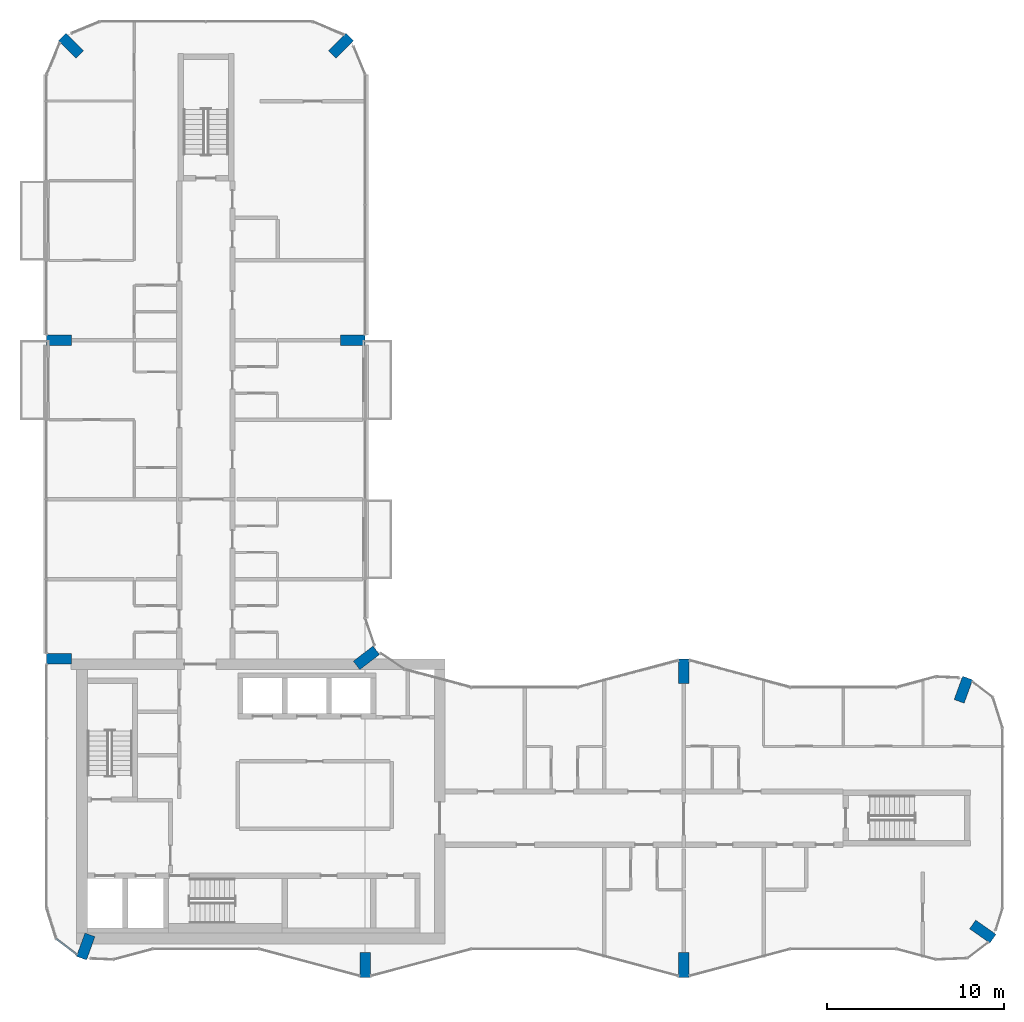
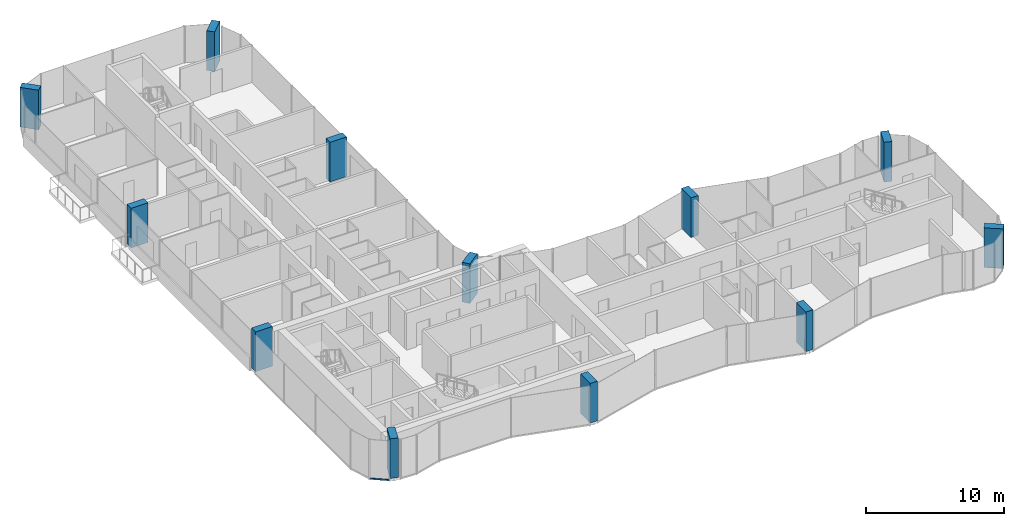
# One storey, part 1 of 15: 12 columns, 1 member, 1 element without a shape of its own.
"""IFC4 building model written with IfcOpenShell, lengths in metres."""

from ifc_helpers import new_model, si_unit, direction, frame, origin, origin_2d, place, context, subcontext, project, spatial, rectangle, extrude, material, layer, layer_set, material_profile, profile_set, type_object, element, aggregate, save


model = new_model("IFC4")

# Units and contexts
model_context = context("Model", 3, precision=1e-05, world=origin(), true_north=direction((0.0, 1.0)))
body_context = subcontext(model_context, "Body", "Model", "MODEL_VIEW")
ifc_project = project(units=[si_unit("LENGTHUNIT", "METRE"), si_unit("AREAUNIT", "SQUARE_METRE"), si_unit("VOLUMEUNIT", "CUBIC_METRE"), si_unit("PLANEANGLEUNIT", "RADIAN"), si_unit("MASSUNIT", "GRAM", prefix="KILO")], contexts=[model_context])

# Site, building, storey
site_placement = place(None, origin())
site = spatial("IfcSite", under=ifc_project, at=site_placement, CompositionType="ELEMENT")
building_placement = place(site_placement, origin())
building = spatial("IfcBuilding", under=site, at=building_placement, Name="Plateau Cross Towers", CompositionType="ELEMENT")
storey_placement = place(building_placement, frame((0.0, 0.0, 170.89990234375)))
storey = spatial("IfcBuildingStorey", under=building, at=storey_placement, Name="L44", CompositionType="ELEMENT", Elevation=170.89990234375)

# Columns
ifc_material_1 = material(Name="Concrete C60/75", Category="concrete")
ifc_material_profile_1 = material_profile(ifc_material_1, rectangle(XDim=0.60009765625, YDim=1.39990234375, at=origin_2d()), Name="RC 600x1400")
ifc_profile_set_1 = profile_set([ifc_material_profile_1], Name="Concrete C60/75")
column_type = type_object("IfcColumnType", Name="Fin pier column RC 600x1400", PredefinedType="COLUMN", material=ifc_profile_set_1)
for number, where, z_axis, x_axis, name in (
    (1, (18.0, 0.699951171875, 0.0), (0.0, 0.0, 1.0), (1.0, 0.0, 0.0), "PR1 L44"),
    (2, (36.0, 0.699951171875, 0.0), (0.0, 0.0, 1.0), (1.0, 0.0, 0.0), "PR2 L44"),
    (3, (52.884033203125, 2.590087890625, 0.0), (0.0, 0.0, 1.0), (0.573542637991, 0.819175709117, 0.0), "PR3 L44"),
    (4, (51.786865234375, 16.251953125, 0.0), (0.0, 0.0, 1.0), (-0.939664280925, 0.342097996418, 0.0), "PR4 L44"),
    (5, (36.0, 17.300048828125, 0.0), (0.0, 0.0, 1.0), (1.0, 0.0, 0.0), "PR5 L44"),
    (6, (18.064697265625, 18.049560546875, 0.0), (0.0, 0.0, 1.0), (-0.608810846443, 0.793315418515, 0.0), "PR6 L44"),
    (7, (17.300048828125, 36.0, 0.0), (0.0, 0.0, 1.0), (0.0, 1.0, 0.0), "PR7 L44"),
    (8, (16.62646484375, 52.62646484375, 0.0), (0.0, 0.0, 1.0), (-0.707106781187, 0.707106781187, 0.0), "PR8 L44"),
    (9, (1.37353515625, 52.62646484375, 0.0), (0.0, 0.0, 1.0), (0.707106781187, 0.707106781187, 0.0), "PR9 L44"),
    (10, (0.699951171875, 36.0, 0.0), (0.0, 0.0, 1.0), (0.0, 1.0, 0.0), "PR10 L44"),
    (11, (0.699951171875, 18.0, 0.0), (0.0, 0.0, 1.0), (0.0, 1.0, 0.0), "PR11 L44"),
    (12, (2.213134765625, 1.748046875, 0.0), (0.0, 0.0, 1.0), (-0.939664280925, 0.342097996418, 0.0), "PR12 L44"),
):
    element("IfcColumn", number, at=place(storey_placement, frame(where, z_axis=z_axis, x_axis=x_axis)), inside=storey, type_object=column_type, Name=name, PredefinedType="COLUMN", context=body_context, shape_type="SweptSolid", body=[
        extrude(rectangle(XDim=0.60009765625, YDim=1.39990234375, at=origin_2d()), origin(), (0.0, 0.0, 1.0), 3.5),
    ])

# Curtain wall, member
ifc_material_2 = material(Name="Dark low-iron glass", Category="glass")
ifc_layer = layer(ifc_material_2, 0.239990234375)
ifc_layer_set = layer_set([ifc_layer], Name="Dark low-iron glass")
curtain_wall_type = type_object("IfcCurtainWallType", Name="Curtain wall flush unitised CW-B", PredefinedType="NOTDEFINED", material=ifc_layer_set)
curtain_wall_placement = place(storey_placement, origin())
curtain_wall = element("IfcCurtainWall", 13, at=curtain_wall_placement, inside=storey, type_object=curtain_wall_type, Name="ENV/A/L44/A5_22", PredefinedType="NOTDEFINED")
ifc_material_3 = material(Name="Black anodised aluminium", Category="aluminium")
ifc_material_profile_2 = material_profile(ifc_material_3, rectangle(XDim=0.10009765625, YDim=0.1201171875, at=origin_2d()), Name="TRANSOM 100x120")
ifc_profile_set_2 = profile_set([ifc_material_profile_2], Name="Black anodised aluminium")
member_type = type_object("IfcMemberType", Name="Transom 100x120 flush unitised", PredefinedType="USERDEFINED", material=ifc_profile_set_2)
member_placement = place(storey_placement, frame((0.54248046875, 2.1884765625, -0.18994140625), z_axis=(0.793320508571, -0.608804213751, 0.0), x_axis=(0.608804213751, 0.793320508571, 0.0)))
member = element("IfcMember", 14, at=member_placement, type_object=member_type, Name="CW-B transom", ObjectType="TRANSOM", PredefinedType="USERDEFINED", context=body_context, shape_type="SweptSolid", body=[
    extrude(rectangle(XDim=0.10009765625, YDim=0.1201171875, at=origin_2d()), origin(), (0.0, 0.0, 1.0), 1.471435546875),
])
aggregate(curtain_wall, [member])

save(model, "model.ifc")
